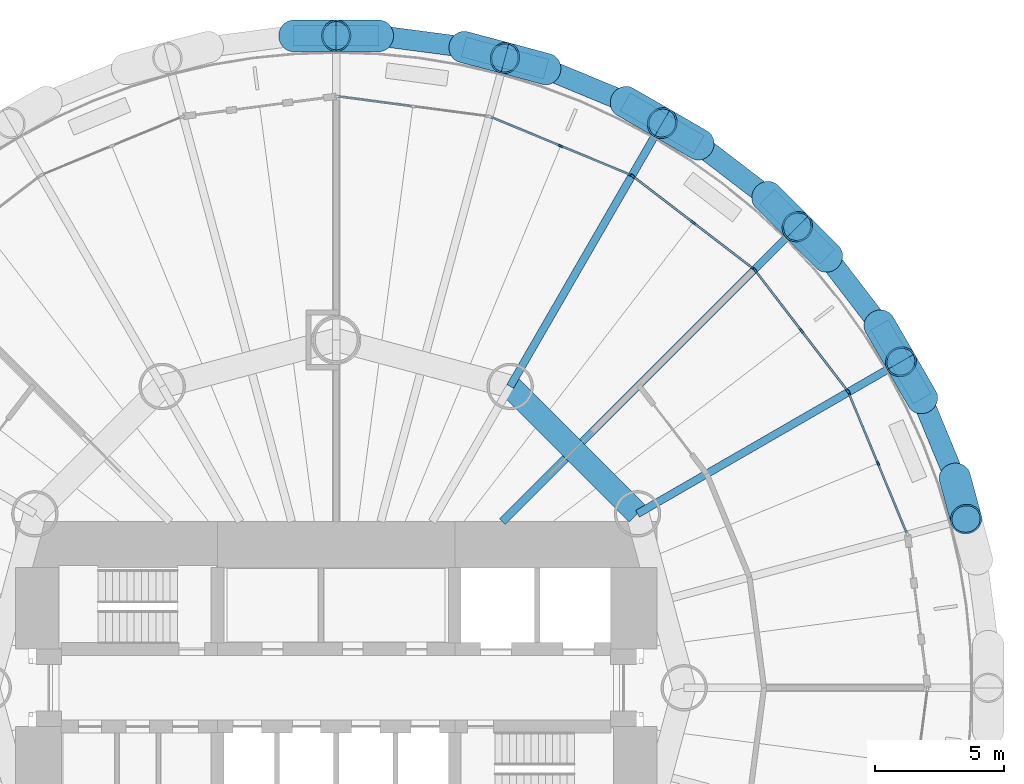
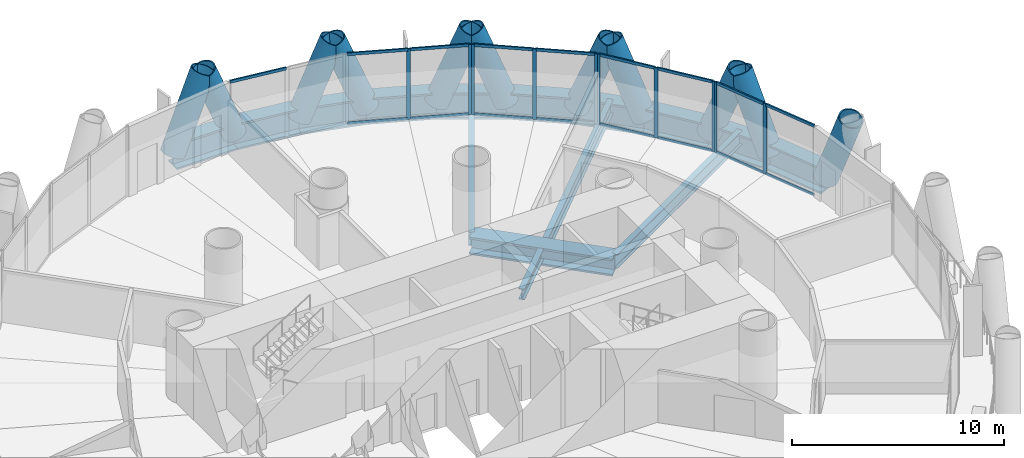
# One storey, part 7 of 16: 38 members, 15 beams, 5 elements without a shape of their own.
"""IFC4 building model written with IfcOpenShell, lengths in metres."""

from ifc_helpers import new_model, si_unit, direction, frame, origin, origin_2d, place, context, subcontext, project, spatial, rectangle, hollow_circle, i_section, extrude, material, material_profile, profile_set, type_object, element, aggregate, save


model = new_model("IFC4")

# Units and contexts
model_context = context("Model", 3, precision=1e-05, world=origin(), true_north=direction((0.0, 1.0)))
body_context = subcontext(model_context, "Body", "Model", "MODEL_VIEW")
ifc_project = project(units=[si_unit("LENGTHUNIT", "METRE"), si_unit("AREAUNIT", "SQUARE_METRE"), si_unit("VOLUMEUNIT", "CUBIC_METRE"), si_unit("PLANEANGLEUNIT", "RADIAN"), si_unit("MASSUNIT", "GRAM", prefix="KILO")], contexts=[model_context])

# Site, building, storey
site_placement = place(None, origin())
site = spatial("IfcSite", under=ifc_project, at=site_placement, CompositionType="ELEMENT")
building_placement = place(site_placement, origin())
building = spatial("IfcBuilding", under=site, at=building_placement, Name="Qaws Media Tower", CompositionType="ELEMENT")
storey_placement = place(building_placement, frame((0.0, 0.0, 105.800048828125)))
storey = spatial("IfcBuildingStorey", under=building, at=storey_placement, Name="L23", CompositionType="ELEMENT", Elevation=105.800048828125)

# Curtain wall, members
ifc_material_1 = material(Name="Aluminium and clear glass", Category="aluminium")
curtain_wall_type = type_object("IfcCurtainWallType", Name="Unitised curtain wall CW-B", PredefinedType="NOTDEFINED", material=ifc_material_1)
curtain_wall_1_placement = place(storey_placement, origin())
curtain_wall_1 = element("IfcCurtainWall", 1, at=curtain_wall_1_placement, inside=storey, type_object=curtain_wall_type, Name="CWB curtain wall L23-02", PredefinedType="NOTDEFINED")
ifc_material_2 = material(Name="Aluminium mullion", Category="aluminium")
ifc_material_profile_1 = material_profile(ifc_material_2, rectangle(XDim=0.080078125, YDim=0.199951171875, at=origin_2d()), Name="80x200")
ifc_profile_set_1 = profile_set([ifc_material_profile_1], Name="Aluminium mullion")
member_type_1 = type_object("IfcMemberType", Name="Curtain wall mullion 80x200", PredefinedType="MULLION", material=ifc_profile_set_1)
member_1_placement = place(storey_placement, frame((81.021728515625, 58.70751953125, 0.0), z_axis=(0.0, 0.0, 1.0), x_axis=(-0.923879516682, -0.382683470581, 0.0)))
member_1 = element("IfcMember", 2, at=member_1_placement, type_object=member_type_1, Name="CWB mullion 2", PredefinedType="MULLION", context=body_context, shape_type="SweptSolid", body=[
    extrude(rectangle(XDim=0.080078125, YDim=0.199951171875, at=origin_2d()), origin(), (0.0, 0.0, 1.0), 4.0400390625),
])
member_2_placement = place(storey_placement, frame((79.890625, 61.43798828125, 0.0), z_axis=(0.0, 0.0, 1.0), x_axis=(-0.923879516682, -0.382683470581, 0.0)))
member_2 = element("IfcMember", 3, at=member_2_placement, type_object=member_type_1, Name="CWB mullion 3", PredefinedType="MULLION", context=body_context, shape_type="SweptSolid", body=[
    extrude(rectangle(XDim=0.080078125, YDim=0.199951171875, at=origin_2d()), origin(), (0.0, 0.0, 1.0), 4.0400390625),
])

curtain_wall_2_placement = place(storey_placement, origin())
curtain_wall_2 = element("IfcCurtainWall", 4, at=curtain_wall_2_placement, inside=storey, type_object=curtain_wall_type, Name="CWB curtain wall L23-03", PredefinedType="NOTDEFINED")
member_3_placement = place(storey_placement, frame((79.850830078125, 61.5068359375, 0.0), z_axis=(0.0, 0.0, 1.0), x_axis=(-0.793353394616, -0.608761358211, 0.0)))
member_3 = element("IfcMember", 5, at=member_3_placement, type_object=member_type_1, Name="CWB mullion 1", PredefinedType="MULLION", context=body_context, shape_type="SweptSolid", body=[
    extrude(rectangle(XDim=0.080078125, YDim=0.199951171875, at=origin_2d()), origin(), (0.0, 0.0, 1.0), 4.0400390625),
])
member_4_placement = place(storey_placement, frame((78.0517578125, 63.8515625, 0.0), z_axis=(0.0, 0.0, 1.0), x_axis=(-0.793353394616, -0.608761358211, 0.0)))
member_4 = element("IfcMember", 6, at=member_4_placement, type_object=member_type_1, Name="CWB mullion 2", PredefinedType="MULLION", context=body_context, shape_type="SweptSolid", body=[
    extrude(rectangle(XDim=0.080078125, YDim=0.199951171875, at=origin_2d()), origin(), (0.0, 0.0, 1.0), 4.0400390625),
])
member_5_placement = place(storey_placement, frame((76.25244140625, 66.1962890625, 0.0), z_axis=(0.0, 0.0, 1.0), x_axis=(-0.793353394616, -0.608761358211, 0.0)))
member_5 = element("IfcMember", 7, at=member_5_placement, type_object=member_type_1, Name="CWB mullion 3", PredefinedType="MULLION", context=body_context, shape_type="SweptSolid", body=[
    extrude(rectangle(XDim=0.080078125, YDim=0.199951171875, at=origin_2d()), origin(), (0.0, 0.0, 1.0), 4.0400390625),
])

curtain_wall_3_placement = place(storey_placement, origin())
curtain_wall_3 = element("IfcCurtainWall", 8, at=curtain_wall_3_placement, inside=storey, type_object=curtain_wall_type, Name="CWB curtain wall L23-04", PredefinedType="NOTDEFINED")
member_6_placement = place(storey_placement, frame((76.1962890625, 66.25244140625, 0.0), z_axis=(0.0, 0.0, 1.0), x_axis=(-0.608761358211, -0.793353394616, 0.0)))
member_6 = element("IfcMember", 9, at=member_6_placement, type_object=member_type_1, Name="CWB mullion 1", PredefinedType="MULLION", context=body_context, shape_type="SweptSolid", body=[
    extrude(rectangle(XDim=0.080078125, YDim=0.199951171875, at=origin_2d()), origin(), (0.0, 0.0, 1.0), 4.0400390625),
])
member_7_placement = place(storey_placement, frame((73.8515625, 68.0517578125, 0.0), z_axis=(0.0, 0.0, 1.0), x_axis=(-0.608761358211, -0.793353394616, 0.0)))
member_7 = element("IfcMember", 10, at=member_7_placement, type_object=member_type_1, Name="CWB mullion 2", PredefinedType="MULLION", context=body_context, shape_type="SweptSolid", body=[
    extrude(rectangle(XDim=0.080078125, YDim=0.199951171875, at=origin_2d()), origin(), (0.0, 0.0, 1.0), 4.0400390625),
])
member_8_placement = place(storey_placement, frame((71.5068359375, 69.850830078125, 0.0), z_axis=(0.0, 0.0, 1.0), x_axis=(-0.608761358211, -0.793353394616, 0.0)))
member_8 = element("IfcMember", 11, at=member_8_placement, type_object=member_type_1, Name="CWB mullion 3", PredefinedType="MULLION", context=body_context, shape_type="SweptSolid", body=[
    extrude(rectangle(XDim=0.080078125, YDim=0.199951171875, at=origin_2d()), origin(), (0.0, 0.0, 1.0), 4.0400390625),
])

curtain_wall_4_placement = place(storey_placement, origin())
curtain_wall_4 = element("IfcCurtainWall", 12, at=curtain_wall_4_placement, inside=storey, type_object=curtain_wall_type, Name="CWB curtain wall L23-05", PredefinedType="NOTDEFINED")
member_9_placement = place(storey_placement, frame((71.43798828125, 69.890625, 0.0), z_axis=(0.0, 0.0, 1.0), x_axis=(-0.382683470581, -0.923879516682, 0.0)))
member_9 = element("IfcMember", 13, at=member_9_placement, type_object=member_type_1, Name="CWB mullion 1", PredefinedType="MULLION", context=body_context, shape_type="SweptSolid", body=[
    extrude(rectangle(XDim=0.080078125, YDim=0.199951171875, at=origin_2d()), origin(), (0.0, 0.0, 1.0), 4.0400390625),
])
member_10_placement = place(storey_placement, frame((68.70751953125, 71.021728515625, 0.0), z_axis=(0.0, 0.0, 1.0), x_axis=(-0.382683470581, -0.923879516682, 0.0)))
member_10 = element("IfcMember", 14, at=member_10_placement, type_object=member_type_1, Name="CWB mullion 2", PredefinedType="MULLION", context=body_context, shape_type="SweptSolid", body=[
    extrude(rectangle(XDim=0.080078125, YDim=0.199951171875, at=origin_2d()), origin(), (0.0, 0.0, 1.0), 4.0400390625),
])

# Member
ifc_material_3 = material(Name="Aluminium transom", Category="aluminium")
ifc_material_profile_2 = material_profile(ifc_material_3, rectangle(XDim=0.080078125, YDim=0.159912109375, at=origin_2d()), Name="80x160")
ifc_profile_set_2 = profile_set([ifc_material_profile_2], Name="Aluminium transom")
member_type_2 = type_object("IfcMemberType", Name="Curtain wall transom 80x160", PredefinedType="USERDEFINED", material=ifc_profile_set_2)
member_11_placement = place(storey_placement, frame((82.137451171875, 56.013916015625, 0.0400390625), z_axis=(-0.382751715461, 0.92385124577, 0.0), x_axis=(-0.92385124577, -0.382751715461, 0.0)))
member_11 = element("IfcMember", 15, at=member_11_placement, type_object=member_type_2, Name="CWB transom 1.1", ObjectType="TRANSOM", PredefinedType="USERDEFINED", context=body_context, shape_type="SweptSolid", body=[
    extrude(rectangle(XDim=0.080078125, YDim=0.159912109375, at=origin_2d()), origin(), (0.0, 0.0, 1.0), 2.87548828125),
])

member_12_placement = place(storey_placement, frame((82.137451171875, 56.013916015625, 4.0), z_axis=(-0.382751715461, 0.92385124577, 0.0), x_axis=(-0.92385124577, -0.382751715461, 0.0)))
member_12 = element("IfcMember", 16, at=member_12_placement, type_object=member_type_2, Name="CWB transom 1.2", ObjectType="TRANSOM", PredefinedType="USERDEFINED", context=body_context, shape_type="SweptSolid", body=[
    extrude(rectangle(XDim=0.080078125, YDim=0.159912109375, at=origin_2d()), origin(), (0.0, 0.0, 1.0), 2.87548828125),
])

member_13_placement = place(storey_placement, frame((81.00634765625, 58.744384765625, 0.0400390625), z_axis=(-0.382649228421, 0.923893699507, 0.0), x_axis=(-0.923893699507, -0.382649228421, 0.0)))
member_13 = element("IfcMember", 17, at=member_13_placement, type_object=member_type_2, Name="CWB transom 2.1", ObjectType="TRANSOM", PredefinedType="USERDEFINED", context=body_context, shape_type="SweptSolid", body=[
    extrude(rectangle(XDim=0.080078125, YDim=0.159912109375, at=origin_2d()), origin(), (0.0, 0.0, 1.0), 2.87548828125),
])

member_14_placement = place(storey_placement, frame((81.00634765625, 58.744384765625, 4.0), z_axis=(-0.382649228421, 0.923893699507, 0.0), x_axis=(-0.923893699507, -0.382649228421, 0.0)))
member_14 = element("IfcMember", 18, at=member_14_placement, type_object=member_type_2, Name="CWB transom 2.2", ObjectType="TRANSOM", PredefinedType="USERDEFINED", context=body_context, shape_type="SweptSolid", body=[
    extrude(rectangle(XDim=0.080078125, YDim=0.159912109375, at=origin_2d()), origin(), (0.0, 0.0, 1.0), 2.87548828125),
])

aggregate(curtain_wall_1, [member_1, member_2, member_11, member_12, member_13, member_14])

member_15_placement = place(storey_placement, frame((79.82666015625, 61.53857421875, 0.0400390625), z_axis=(-0.608820027723, 0.793308372478, 0.0), x_axis=(-0.793308372478, -0.608820027723, 0.0)))
member_15 = element("IfcMember", 19, at=member_15_placement, type_object=member_type_2, Name="CWB transom 1.1", ObjectType="TRANSOM", PredefinedType="USERDEFINED", context=body_context, shape_type="SweptSolid", body=[
    extrude(rectangle(XDim=0.080078125, YDim=0.159912109375, at=origin_2d()), origin(), (0.0, 0.0, 1.0), 2.875732421875),
])

member_16_placement = place(storey_placement, frame((79.82666015625, 61.53857421875, 4.0), z_axis=(-0.608820027723, 0.793308372478, 0.0), x_axis=(-0.793308372478, -0.608820027723, 0.0)))
member_16 = element("IfcMember", 20, at=member_16_placement, type_object=member_type_2, Name="CWB transom 1.2", ObjectType="TRANSOM", PredefinedType="USERDEFINED", context=body_context, shape_type="SweptSolid", body=[
    extrude(rectangle(XDim=0.080078125, YDim=0.159912109375, at=origin_2d()), origin(), (0.0, 0.0, 1.0), 2.875732421875),
])

member_17_placement = place(storey_placement, frame((78.02734375, 63.88330078125, 0.0400390625), z_axis=(-0.608766592582, 0.793349378115, 0.0), x_axis=(-0.793349378115, -0.608766592582, 0.0)))
member_17 = element("IfcMember", 21, at=member_17_placement, type_object=member_type_2, Name="CWB transom 2.1", ObjectType="TRANSOM", PredefinedType="USERDEFINED", context=body_context, shape_type="SweptSolid", body=[
    extrude(rectangle(XDim=0.080078125, YDim=0.159912109375, at=origin_2d()), origin(), (0.0, 0.0, 1.0), 2.87548828125),
])

member_18_placement = place(storey_placement, frame((78.02734375, 63.88330078125, 4.0), z_axis=(-0.608766592582, 0.793349378115, 0.0), x_axis=(-0.793349378115, -0.608766592582, 0.0)))
member_18 = element("IfcMember", 22, at=member_18_placement, type_object=member_type_2, Name="CWB transom 2.2", ObjectType="TRANSOM", PredefinedType="USERDEFINED", context=body_context, shape_type="SweptSolid", body=[
    extrude(rectangle(XDim=0.080078125, YDim=0.159912109375, at=origin_2d()), origin(), (0.0, 0.0, 1.0), 2.87548828125),
])

aggregate(curtain_wall_2, [member_3, member_4, member_5, member_15, member_16, member_17, member_18])

member_19_placement = place(storey_placement, frame((76.16455078125, 66.27685546875, 0.0400390625), z_axis=(-0.793349378115, 0.608766592582, 0.0), x_axis=(-0.608766592582, -0.793349378115, 0.0)))
member_19 = element("IfcMember", 23, at=member_19_placement, type_object=member_type_2, Name="CWB transom 1.1", ObjectType="TRANSOM", PredefinedType="USERDEFINED", context=body_context, shape_type="SweptSolid", body=[
    extrude(rectangle(XDim=0.080078125, YDim=0.159912109375, at=origin_2d()), origin(), (0.0, 0.0, 1.0), 2.87548828125),
])

member_20_placement = place(storey_placement, frame((76.16455078125, 66.27685546875, 4.0), z_axis=(-0.793349378115, 0.608766592582, 0.0), x_axis=(-0.608766592582, -0.793349378115, 0.0)))
member_20 = element("IfcMember", 24, at=member_20_placement, type_object=member_type_2, Name="CWB transom 1.2", ObjectType="TRANSOM", PredefinedType="USERDEFINED", context=body_context, shape_type="SweptSolid", body=[
    extrude(rectangle(XDim=0.080078125, YDim=0.159912109375, at=origin_2d()), origin(), (0.0, 0.0, 1.0), 2.87548828125),
])

member_21_placement = place(storey_placement, frame((73.81982421875, 68.075927734375, 0.0400390625), z_axis=(-0.793308372478, 0.608820027723, 0.0), x_axis=(-0.608820027723, -0.793308372478, 0.0)))
member_21 = element("IfcMember", 25, at=member_21_placement, type_object=member_type_2, Name="CWB transom 2.1", ObjectType="TRANSOM", PredefinedType="USERDEFINED", context=body_context, shape_type="SweptSolid", body=[
    extrude(rectangle(XDim=0.080078125, YDim=0.159912109375, at=origin_2d()), origin(), (0.0, 0.0, 1.0), 2.875732421875),
])

member_22_placement = place(storey_placement, frame((73.81982421875, 68.075927734375, 4.0), z_axis=(-0.793308372478, 0.608820027723, 0.0), x_axis=(-0.608820027723, -0.793308372478, 0.0)))
member_22 = element("IfcMember", 26, at=member_22_placement, type_object=member_type_2, Name="CWB transom 2.2", ObjectType="TRANSOM", PredefinedType="USERDEFINED", context=body_context, shape_type="SweptSolid", body=[
    extrude(rectangle(XDim=0.080078125, YDim=0.159912109375, at=origin_2d()), origin(), (0.0, 0.0, 1.0), 2.875732421875),
])

aggregate(curtain_wall_3, [member_6, member_7, member_8, member_19, member_20, member_21, member_22])

member_23_placement = place(storey_placement, frame((71.401123046875, 69.906005859375, 0.0400390625), z_axis=(-0.923893699507, 0.382649228421, 0.0), x_axis=(-0.382649228421, -0.923893699507, 0.0)))
member_23 = element("IfcMember", 27, at=member_23_placement, type_object=member_type_2, Name="CWB transom 1.1", ObjectType="TRANSOM", PredefinedType="USERDEFINED", context=body_context, shape_type="SweptSolid", body=[
    extrude(rectangle(XDim=0.080078125, YDim=0.159912109375, at=origin_2d()), origin(), (0.0, 0.0, 1.0), 2.87548828125),
])

member_24_placement = place(storey_placement, frame((71.401123046875, 69.906005859375, 4.0), z_axis=(-0.923893699507, 0.382649228421, 0.0), x_axis=(-0.382649228421, -0.923893699507, 0.0)))
member_24 = element("IfcMember", 28, at=member_24_placement, type_object=member_type_2, Name="CWB transom 1.2", ObjectType="TRANSOM", PredefinedType="USERDEFINED", context=body_context, shape_type="SweptSolid", body=[
    extrude(rectangle(XDim=0.080078125, YDim=0.159912109375, at=origin_2d()), origin(), (0.0, 0.0, 1.0), 2.87548828125),
])

member_25_placement = place(storey_placement, frame((68.67041015625, 71.036865234375, 0.0400390625), z_axis=(-0.92385124577, 0.382751715461, 0.0), x_axis=(-0.382751715461, -0.92385124577, 0.0)))
member_25 = element("IfcMember", 29, at=member_25_placement, type_object=member_type_2, Name="CWB transom 2.1", ObjectType="TRANSOM", PredefinedType="USERDEFINED", context=body_context, shape_type="SweptSolid", body=[
    extrude(rectangle(XDim=0.080078125, YDim=0.159912109375, at=origin_2d()), origin(), (0.0, 0.0, 1.0), 2.87548828125),
])

member_26_placement = place(storey_placement, frame((68.67041015625, 71.036865234375, 4.0), z_axis=(-0.92385124577, 0.382751715461, 0.0), x_axis=(-0.382751715461, -0.92385124577, 0.0)))
member_26 = element("IfcMember", 30, at=member_26_placement, type_object=member_type_2, Name="CWB transom 2.2", ObjectType="TRANSOM", PredefinedType="USERDEFINED", context=body_context, shape_type="SweptSolid", body=[
    extrude(rectangle(XDim=0.080078125, YDim=0.159912109375, at=origin_2d()), origin(), (0.0, 0.0, 1.0), 2.87548828125),
])

aggregate(curtain_wall_4, [member_9, member_10, member_23, member_24, member_25, member_26])

# Curtain wall, member
curtain_wall_5_placement = place(storey_placement, origin())
curtain_wall_5 = element("IfcCurtainWall", 31, at=curtain_wall_5_placement, inside=storey, type_object=curtain_wall_type, Name="CWB curtain wall L23-06", PredefinedType="NOTDEFINED")
member_27_placement = place(storey_placement, frame((62.93017578125, 72.564208984375, 4.0), z_axis=(-0.991448225622, 0.130500635675, 0.0), x_axis=(-0.130500635675, -0.991448225622, 0.0)))
member_27 = element("IfcMember", 32, at=member_27_placement, type_object=member_type_2, Name="CWB transom 2.2", ObjectType="TRANSOM", PredefinedType="USERDEFINED", context=body_context, shape_type="SweptSolid", body=[
    extrude(rectangle(XDim=0.080078125, YDim=0.159912109375, at=origin_2d()), origin(), (0.0, 0.0, 1.0), 2.87548828125),
])
aggregate(curtain_wall_5, [member_27])

# Members
ifc_material_4 = material(Name="Steel S460", Category="steel")
ifc_material_profile_3 = material_profile(ifc_material_4, hollow_circle(Radius=0.609619140625, WallThickness=0.06005859375, at=origin_2d()), Name="CHS 1219x60")
ifc_profile_set_3 = profile_set([ifc_material_profile_3], Name="Steel S460")
member_type_3 = type_object("IfcMemberType", Name="Diagrid member CHS 1219x60", PredefinedType="USERDEFINED", material=ifc_profile_set_3)
for number, where, z_axis, x_axis, name in (
    (33, (82.73583984375, 61.2119140625, -0.91015625), (-0.18279658458, 0.318447761957, 0.930148607251), (-0.867271933827, -0.49783470429, 0.0), "DG1 diagrid L23 A02"),
    (34, (84.004638671875, 58.1484375, -0.91015625), (0.095967502009, -0.354403929954, 0.930154875809), (0.965237982037, 0.261372603831, 0.0), "DG1 diagrid L23 B02"),
    (35, (79.05908203125, 66.71435546875, -0.91015625), (-0.2589229874, 0.260328708359, 0.930154745298), (-0.709018466255, -0.705189913789, 0.0), "DG1 diagrid L23 A03"),
    (36, (81.07763671875, 64.083740234375, -0.91015625), (0.184417538326, -0.317526884372, 0.930143456279), (0.864733254102, 0.502231420014, 0.0), "DG1 diagrid L23 B03"),
    (37, (74.083740234375, 71.07763671875, -0.91015625), (-0.317526884372, 0.184417538326, 0.930143456279), (-0.502231420014, -0.864733254102, 0.0), "DG1 diagrid L23 A04"),
    (38, (76.71435546875, 69.05908203125, -0.91015625), (0.260328708359, -0.2589229874, 0.930154745298), (0.705189913789, 0.709018466255, 0.0), "DG1 diagrid L23 B04"),
    (39, (68.1484375, 74.004638671875, -0.91015625), (-0.354403929954, 0.095967502009, 0.930154875809), (-0.261372603831, -0.965237982037, 0.0), "DG1 diagrid L23 A05"),
    (40, (71.2119140625, 72.73583984375, -0.91015625), (0.318447761957, -0.18279658458, 0.930148607251), (0.49783470429, 0.867271933827, 0.0), "DG1 diagrid L23 B05"),
    (41, (61.657958984375, 75.295654296875, -0.91015625), (-0.367163898888, 0.000973192487, 0.930155752683), (-0.002650557616, -0.999996487266, 0.0), "DG1 diagrid L23 A06"),
    (42, (64.945556640625, 74.86279296875, -0.91015625), (0.354893095406, -0.094075866241, 0.93016161081), (0.256232540278, 0.966615169187, 0.0), "DG1 diagrid L23 B06"),
    (43, (58.342041015625, 75.295654296875, -0.91015625), (0.367163898888, 0.000973192487, 0.930155752683), (-0.002650557616, 0.999996487266, 0.0), "DG1 diagrid L23 B07"),
):
    element("IfcMember", number, at=place(storey_placement, frame(where, z_axis=z_axis, x_axis=x_axis)), inside=storey, type_object=member_type_3, Name=name, ObjectType="DIAGRID", PredefinedType="USERDEFINED", context=body_context, shape_type="SweptSolid", body=[
        extrude(hollow_circle(Radius=0.609619140625, WallThickness=0.06005859375, at=origin_2d()), origin(), (0.0, 0.0, 1.0), 4.515625),
    ])

# Beams
ifc_material_5 = material(Name="Steel S460", Category="steel")
ifc_material_profile_4 = material_profile(ifc_material_5, i_section(OverallWidth=0.800048828125, OverallDepth=1.5, WebThickness=0.0400390625, FlangeThickness=0.10009765625, at=origin_2d()), Name="PG 1500x800")
ifc_profile_set_4 = profile_set([ifc_material_profile_4], Name="Steel S460")
beam_type_1 = type_object("IfcBeamType", Name="Edge ring beam PG 1500x800", PredefinedType="BEAM", material=ifc_profile_set_4)
beam_1_placement = place(storey_placement, frame((84.004638671875, 58.1484375, -0.91015625), z_axis=(-0.382648754837, 0.923893895651, 0.0), x_axis=(-0.923893895651, -0.382648754837, 0.0)))
element("IfcBeam", 44, at=beam_1_placement, inside=storey, type_object=beam_type_1, Name="RB7 edge ring beam L23-03", PredefinedType="BEAM", context=body_context, shape_type="SweptSolid", body=[
    extrude(i_section(OverallWidth=0.800048828125, OverallDepth=1.5, WebThickness=0.0400390625, FlangeThickness=0.10009765625, at=origin_2d()), origin(), (0.0, 0.0, 1.0), 3.31591796875),
])
beam_2_placement = place(storey_placement, frame((82.73583984375, 61.2119140625, -0.91015625), z_axis=(-0.500034718414, 0.866005358171, 0.0), x_axis=(-0.866005358171, -0.500034718414, 0.0)))
element("IfcBeam", 45, at=beam_2_placement, inside=storey, type_object=beam_type_1, Name="RB7 edge ring beam L23-04", PredefinedType="BEAM", context=body_context, shape_type="SweptSolid", body=[
    extrude(i_section(OverallWidth=0.800048828125, OverallDepth=1.5, WebThickness=0.0400390625, FlangeThickness=0.10009765625, at=origin_2d()), origin(), (0.0, 0.0, 1.0), 3.316162109375),
])
for number, where, z_axis, x_axis, name in (
    (46, (81.07763671875, 64.083740234375, -0.91015625), (-0.608763825135, 0.793351501673, 0.0), (-0.793351501673, -0.608763825135, 0.0), "RB7 edge ring beam L23-05"),
    (47, (79.05908203125, 66.71435546875, -0.91015625), (-0.707106781187, 0.707106781187, 0.0), (-0.707106781187, -0.707106781187, 0.0), "RB7 edge ring beam L23-06"),
    (48, (76.71435546875, 69.05908203125, -0.91015625), (-0.793351501673, 0.608763825135, 0.0), (-0.608763825135, -0.793351501673, 0.0), "RB7 edge ring beam L23-07"),
):
    element("IfcBeam", number, at=place(storey_placement, frame(where, z_axis=z_axis, x_axis=x_axis)), inside=storey, type_object=beam_type_1, Name=name, PredefinedType="BEAM", context=body_context, shape_type="SweptSolid", body=[
        extrude(i_section(OverallWidth=0.800048828125, OverallDepth=1.5, WebThickness=0.0400390625, FlangeThickness=0.10009765625, at=origin_2d()), origin(), (0.0, 0.0, 1.0), 3.31591796875),
    ])
beam_3_placement = place(storey_placement, frame((74.083740234375, 71.07763671875, -0.91015625), z_axis=(-0.866005358171, 0.500034718414, 0.0), x_axis=(-0.500034718414, -0.866005358171, 0.0)))
element("IfcBeam", 49, at=beam_3_placement, inside=storey, type_object=beam_type_1, Name="RB7 edge ring beam L23-08", PredefinedType="BEAM", context=body_context, shape_type="SweptSolid", body=[
    extrude(i_section(OverallWidth=0.800048828125, OverallDepth=1.5, WebThickness=0.0400390625, FlangeThickness=0.10009765625, at=origin_2d()), origin(), (0.0, 0.0, 1.0), 3.316162109375),
])
for number, where, z_axis, x_axis, name in (
    (50, (71.2119140625, 72.73583984375, -0.91015625), (-0.923893895651, 0.382648754837, 0.0), (-0.382648754837, -0.923893895651, 0.0), "RB7 edge ring beam L23-09"),
    (51, (68.1484375, 74.004638671875, -0.91015625), (-0.965929976143, 0.258803557142, 0.0), (-0.258803557142, -0.965929976143, 0.0), "RB7 edge ring beam L23-10"),
    (52, (64.945556640625, 74.86279296875, -0.91015625), (-0.991443265692, 0.130538312051, 0.0), (-0.130538312051, -0.991443265692, 0.0), "RB7 edge ring beam L23-11"),
    (53, (61.657958984375, 75.295654296875, -0.91015625), (-1.0, 0.0, 0.0), (0.0, -1.0, 0.0), "RB7 edge ring beam L23-12"),
):
    element("IfcBeam", number, at=place(storey_placement, frame(where, z_axis=z_axis, x_axis=x_axis)), inside=storey, type_object=beam_type_1, Name=name, PredefinedType="BEAM", context=body_context, shape_type="SweptSolid", body=[
        extrude(i_section(OverallWidth=0.800048828125, OverallDepth=1.5, WebThickness=0.0400390625, FlangeThickness=0.10009765625, at=origin_2d()), origin(), (0.0, 0.0, 1.0), 3.31591796875),
    ])
ifc_material_6 = material(Name="Steel S460", Category="steel")
ifc_material_profile_5 = material_profile(ifc_material_6, i_section(OverallWidth=0.89990234375, OverallDepth=1.0, WebThickness=0.044921875, FlangeThickness=0.110107421875, at=origin_2d()), Name="PG 1000x900")
ifc_profile_set_5 = profile_set([ifc_material_profile_5], Name="Steel S460")
beam_type_2 = type_object("IfcBeamType", Name="Inner ring girder PG 1000x900", PredefinedType="BEAM", material=ifc_profile_set_5)
beam_4_placement = place(storey_placement, frame((71.69140625, 56.75, -0.66015625), z_axis=(-0.707106781187, 0.707106781187, 0.0), x_axis=(-0.707106781187, -0.707106781187, 0.0)))
element("IfcBeam", 54, at=beam_4_placement, inside=storey, type_object=beam_type_2, Name="B3 inner ring beam L23 I02-I03", PredefinedType="BEAM", context=body_context, shape_type="SweptSolid", body=[
    extrude(i_section(OverallWidth=0.89990234375, OverallDepth=1.0, WebThickness=0.044921875, FlangeThickness=0.110107421875, at=origin_2d()), origin(), (0.0, 0.0, 1.0), 6.98828125),
])
ifc_material_7 = material(Name="Steel S355", Category="steel")
ifc_material_profile_6 = material_profile(ifc_material_7, i_section(OverallWidth=0.304931640625, OverallDepth=0.6201171875, WebThickness=0.02099609375, FlangeThickness=0.0400390625, FilletRadius=0.027099609375, at=origin_2d()), Name="HE 600 M")
ifc_profile_set_6 = profile_set([ifc_material_profile_6], Name="Steel S355")
beam_type_3 = type_object("IfcBeamType", Name="Radial beam HE 600 M, core side", PredefinedType="BEAM", material=ifc_profile_set_6)
beam_5_placement = place(storey_placement, frame((66.449951171875, 56.449951171875, -0.469970703125), z_axis=(0.707106781187, 0.707106781187, 0.0), x_axis=(-0.707106781187, 0.707106781187, 0.0)))
element("IfcBeam", 55, at=beam_5_placement, inside=storey, type_object=beam_type_3, Name="B2 radial beam L23 04", PredefinedType="BEAM", context=body_context, shape_type="SweptSolid", body=[
    extrude(i_section(OverallWidth=0.304931640625, OverallDepth=0.6201171875, WebThickness=0.02099609375, FlangeThickness=0.0400390625, FilletRadius=0.027099609375, at=origin_2d()), origin(), (0.0, 0.0, 1.0), 3.468505859375),
])
ifc_material_8 = material(Name="Steel S355", Category="steel")
ifc_material_profile_7 = material_profile(ifc_material_8, i_section(OverallWidth=0.300048828125, OverallDepth=0.800048828125, WebThickness=0.017578125, FlangeThickness=0.032958984375, FilletRadius=0.030029296875, at=origin_2d()), Name="HE 800 B")
ifc_profile_set_7 = profile_set([ifc_material_profile_7], Name="Steel S355")
beam_type_4 = type_object("IfcBeamType", Name="Radial beam HE 800 B", PredefinedType="BEAM", material=ifc_profile_set_7)
beam_6_placement = place(storey_placement, frame((71.69140625, 56.75, -0.56005859375), z_axis=(0.866020832678, 0.500007917304, 0.0), x_axis=(-0.500007917304, 0.866020832678, 0.0)))
element("IfcBeam", 56, at=beam_6_placement, inside=storey, type_object=beam_type_4, Name="B1 radial beam L23 03", PredefinedType="BEAM", context=body_context, shape_type="SweptSolid", body=[
    extrude(i_section(OverallWidth=0.300048828125, OverallDepth=0.800048828125, WebThickness=0.017578125, FlangeThickness=0.032958984375, FilletRadius=0.030029296875, at=origin_2d()), origin(), (0.0, 0.0, 1.0), 11.795654296875),
])
beam_7_placement = place(storey_placement, frame((69.538818359375, 59.538818359375, -0.56005859375), z_axis=(0.707106781187, 0.707106781187, 0.0), x_axis=(-0.707106781187, 0.707106781187, 0.0)))
element("IfcBeam", 57, at=beam_7_placement, inside=storey, type_object=beam_type_4, Name="B1 radial beam L23 04", PredefinedType="BEAM", context=body_context, shape_type="SweptSolid", body=[
    extrude(i_section(OverallWidth=0.300048828125, OverallDepth=0.800048828125, WebThickness=0.017578125, FlangeThickness=0.032958984375, FilletRadius=0.030029296875, at=origin_2d()), origin(), (0.0, 0.0, 1.0), 11.8056640625),
])
beam_8_placement = place(storey_placement, frame((66.75, 61.69140625, -0.56005859375), z_axis=(0.500007917304, 0.866020832678, 0.0), x_axis=(-0.866020832678, 0.500007917304, 0.0)))
element("IfcBeam", 58, at=beam_8_placement, inside=storey, type_object=beam_type_4, Name="B1 radial beam L23 05", PredefinedType="BEAM", context=body_context, shape_type="SweptSolid", body=[
    extrude(i_section(OverallWidth=0.300048828125, OverallDepth=0.800048828125, WebThickness=0.017578125, FlangeThickness=0.032958984375, FilletRadius=0.030029296875, at=origin_2d()), origin(), (0.0, 0.0, 1.0), 11.795654296875),
])

save(model, "model.ifc")
